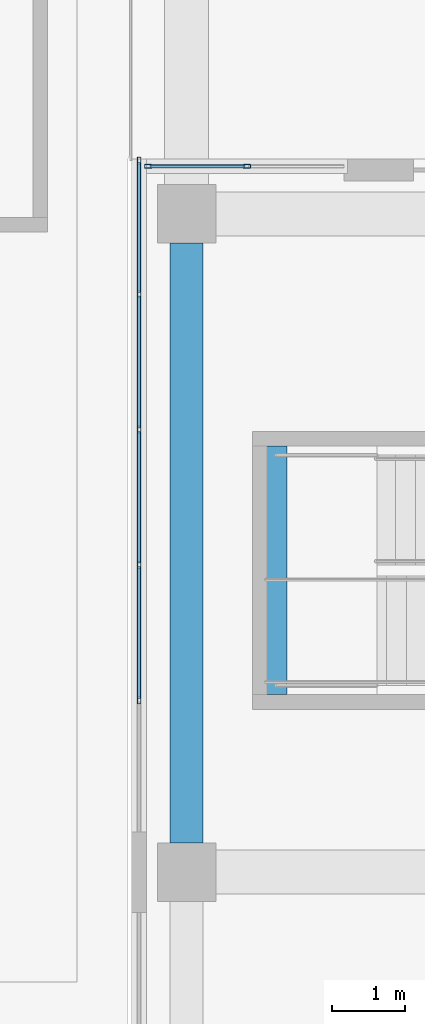
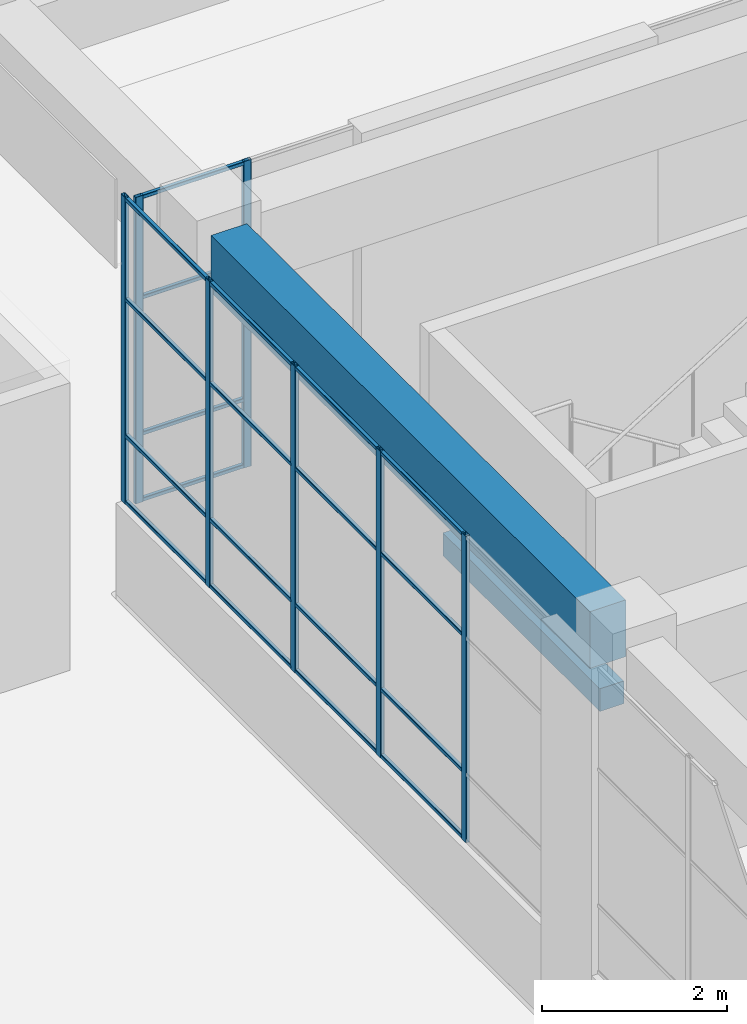
# One storey, part 27 of 72: 27 members, 2 beams, 2 elements without a shape of their own.
"""IFC4 building model written with IfcOpenShell, lengths in metres."""

import ifcopenshell
import ifcopenshell.guid

model = None  # the IFC model being written
_history = None  # IfcOwnerHistory: only IFC2X3 demands one
_inside = {}  # id of a spatial element -> (the spatial element, [elements in it])
_under = {}  # id of a project, library or spatial element -> (it, [spatial elements below it])
_declared = {}  # id of a project -> (the project, [libraries it declares])
_typed = {}  # id of a type object -> (the type object, [elements of that type])
_made_of = {}  # id of a material, layer set ... -> (it, [elements and type objects made of it])


def new_model(schema):
    """Start an empty IFC model of exactly this schema.

    Asked for "IFC4X3", IfcOpenShell would pick the latest addendum, in which some entities
    have other attributes; the version numbers below select the first issue.
    IFC2X3 requires an IfcOwnerHistory on every rooted entity: one is made here for all.
    """
    global model, _history
    if schema == "IFC4X3":
        model = ifcopenshell.file(schema_version=(4, 3, 0, 0))
    else:
        model = ifcopenshell.file(schema=schema)
    _inside.clear()
    _under.clear()
    _declared.clear()
    _typed.clear()
    _made_of.clear()
    _history = None
    if model.schema == "IFC2X3":
        org = make("IfcOrganization", Name="unknown")
        user = make(
            "IfcPersonAndOrganization",
            ThePerson=make("IfcPerson", FamilyName="unknown"),
            TheOrganization=org,
        )
        app = make(
            "IfcApplication",
            ApplicationDeveloper=org,
            Version="unknown",
            ApplicationFullName="unknown",
            ApplicationIdentifier="unknown",
        )
        _history = make(
            "IfcOwnerHistory",
            OwningUser=user,
            OwningApplication=app,
            ChangeAction="ADDED",
            CreationDate=0,
        )
    return model


def make(cls, **values):
    """One entity of the class cls with the attributes given. An attribute that is None is left unset."""
    return model.create_entity(
        cls, **{name: value for name, value in values.items() if value is not None}
    )


def rooted(cls, **values):
    """An entity with a GlobalId (a new one), such as an element, a storey or a relation."""
    return make(cls, GlobalId=ifcopenshell.guid.new(), OwnerHistory=_history, **values)


def si_unit(unit_type, name, prefix=None):
    """IfcSIUnit, for example si_unit("LENGTHUNIT", "METRE", prefix="MILLI")."""
    return make("IfcSIUnit", UnitType=unit_type, Prefix=prefix, Name=name)


def assignment(units):
    """IfcUnitAssignment: the units of a project."""
    return None if units is None else make("IfcUnitAssignment", Units=units)


def point(xyz):
    """IfcCartesianPoint."""
    return None if xyz is None else make("IfcCartesianPoint", Coordinates=xyz)


def direction(xyz):
    """IfcDirection."""
    return None if xyz is None else make("IfcDirection", DirectionRatios=xyz)


def frame(location, z_axis=None, x_axis=None):
    """IfcAxis2Placement3D, a coordinate frame: its origin and axes. An axis left out is left unset."""
    return make(
        "IfcAxis2Placement3D",
        Location=point(location),
        Axis=direction(z_axis),
        RefDirection=direction(x_axis),
    )


def frame_2d(location, x_axis=None):
    """IfcAxis2Placement2D, a coordinate frame in the plane: its origin and x axis."""
    return make(
        "IfcAxis2Placement2D", Location=point(location), RefDirection=direction(x_axis)
    )


def origin():
    """The frame at (0, 0, 0) with its axes left unset."""
    return frame((0.0, 0.0, 0.0))


def origin_2d():
    """The frame at (0, 0) in the plane with its x axis left unset."""
    return frame_2d((0.0, 0.0))


def place(relative_to, where):
    """IfcLocalPlacement: puts the frame where relative to a parent placement (None: the world)."""
    return make(
        "IfcLocalPlacement", PlacementRelTo=relative_to, RelativePlacement=where
    )


def context(
    kind, dimensions, precision=None, world=None, true_north=None, identifier=None
):
    """IfcGeometricRepresentationContext, for example the 3D "Model" context."""
    return make(
        "IfcGeometricRepresentationContext",
        ContextIdentifier=identifier,
        ContextType=kind,
        CoordinateSpaceDimension=dimensions,
        Precision=precision,
        WorldCoordinateSystem=world,
        TrueNorth=true_north,
    )


def subcontext(parent, identifier, kind, view, scale=None):
    """IfcGeometricRepresentationSubContext, for example "Body" below "Model"."""
    return make(
        "IfcGeometricRepresentationSubContext",
        ContextIdentifier=identifier,
        ContextType=kind,
        ParentContext=parent,
        TargetScale=scale,
        TargetView=view,
    )


def project(units=None, contexts=None):
    """IfcProject with its units and contexts."""
    return rooted(
        "IfcProject",
        Name="project",
        RepresentationContexts=contexts,
        UnitsInContext=assignment(units),
    )


def spatial(cls, under=None, at=None, **own):
    """A site, building, storey or space (cls), placed at a placement, below another one or the project."""
    s = rooted(cls, ObjectPlacement=at, **own)
    if under is not None:
        _under.setdefault(under.id(), (under, []))[1].append(s)
    return s


def profile(cls, at=None, kind="AREA", **sizes):
    """A parametric profile (cls). Its sizes go by their IFC names, for example OverallWidth=200.0."""
    return make(cls, ProfileType=kind, Position=at, **sizes)


def rectangle(**sizes):
    """IfcRectangleProfileDef."""
    return profile("IfcRectangleProfileDef", **sizes)


def hollow_rectangle(**sizes):
    """IfcRectangleHollowProfileDef."""
    return profile("IfcRectangleHollowProfileDef", **sizes)


def extrude(swept, where, along, depth):
    """IfcExtrudedAreaSolid: the profile swept, set in the frame where, extruded along a direction by depth."""
    return make(
        "IfcExtrudedAreaSolid",
        SweptArea=swept,
        Position=where,
        ExtrudedDirection=direction(along),
        Depth=depth,
    )


def shape(context_of_items, identifier, shape_type, items):
    """IfcShapeRepresentation: the items that make up one representation, for example the "Body"."""
    return make(
        "IfcShapeRepresentation",
        ContextOfItems=context_of_items,
        RepresentationIdentifier=identifier,
        RepresentationType=shape_type,
        Items=items,
    )


def material(Name=None, Category=None):
    """IfcMaterial."""
    return make("IfcMaterial", Name=Name, Category=Category)


def layer(
    of_material, thickness, ventilated=None, Name=None, Category=None, Priority=None
):
    """IfcMaterialLayer: one layer of a wall or slab, of a material (None: an air gap)."""
    return make(
        "IfcMaterialLayer",
        Material=of_material,
        LayerThickness=thickness,
        IsVentilated=ventilated,
        Name=Name,
        Category=Category,
        Priority=Priority,
    )


def layer_set(layers, Name=None):
    """IfcMaterialLayerSet."""
    return make("IfcMaterialLayerSet", MaterialLayers=layers, LayerSetName=Name)


def material_profile(
    of_material, cross_section, Name=None, Category=None, Priority=None
):
    """IfcMaterialProfile: a cross section and its material."""
    return make(
        "IfcMaterialProfile",
        Name=Name,
        Material=of_material,
        Profile=cross_section,
        Priority=Priority,
        Category=Category,
    )


def profile_set(profiles, Name=None, composite=None):
    """IfcMaterialProfileSet."""
    return make(
        "IfcMaterialProfileSet",
        Name=Name,
        MaterialProfiles=profiles,
        CompositeProfile=composite,
    )


def made_of(thing, what):
    """Note that an element or type object is made of a material, layer set ...; save() writes the relation."""
    if what is not None:
        _made_of.setdefault(what.id(), (what, []))[1].append(thing)
    return thing


def type_object(cls, material=None, **own):
    """A type object (cls), such as IfcWallType, which elements share."""
    return made_of(rooted(cls, **own), material)


def element(
    cls,
    number,
    at=None,
    inside=None,
    cuts=None,
    type_object=None,
    material=None,
    context=None,
    identifier="Body",
    shape_type=None,
    held_by="IfcProductDefinitionShape",
    body=None,
    shapes=None,
    **own,
):
    """One element of the class cls, such as IfcWall. Its Tag is "e" and its number.

    at: its placement. inside: the storey or other place that contains it. cuts: it is an
    opening in that element (IfcRelVoidsElement). A single representation is given by context,
    identifier, shape_type and body (its items); several are given by shapes. held_by: the class
    of the entity that holds the representations. save() writes the other relations.
    """
    e = rooted(cls, Tag="e%d" % number, ObjectPlacement=at, **own)
    if body is not None:
        shapes = [shape(context, identifier, shape_type, body)]
    if shapes is not None:
        e.Representation = make(held_by, Representations=shapes)
    if inside is not None:
        _inside.setdefault(inside.id(), (inside, []))[1].append(e)
    if cuts is not None:
        rooted(
            "IfcRelVoidsElement", RelatingBuildingElement=cuts, RelatedOpeningElement=e
        )
    if type_object is not None:
        _typed.setdefault(type_object.id(), (type_object, []))[1].append(e)
    return made_of(e, material)


def aggregate(whole, parts):
    """IfcRelAggregates: a whole, such as a stair, and the parts it consists of."""
    return rooted("IfcRelAggregates", RelatingObject=whole, RelatedObjects=parts)


def save(model, path):
    """Write the relations noted so far, then the file.

    IfcRelAggregates (storeys below a building ...), IfcRelContainedInSpatialStructure (elements
    in a storey), IfcRelDefinesByType, IfcRelAssociatesMaterial and IfcRelDeclares: one each for
    every whole, place, type object, material and project.
    """
    for whole, parts in _under.values():
        aggregate(whole, parts)
    for where, things in _inside.values():
        rooted(
            "IfcRelContainedInSpatialStructure",
            RelatedElements=things,
            RelatingStructure=where,
        )
    for kind, things in _typed.values():
        rooted("IfcRelDefinesByType", RelatedObjects=things, RelatingType=kind)
    for what, things in _made_of.values():
        rooted("IfcRelAssociatesMaterial", RelatedObjects=things, RelatingMaterial=what)
    for by, libraries in _declared.values():
        rooted("IfcRelDeclares", RelatingContext=by, RelatedDefinitions=libraries)
    model.write(path)


model = new_model("IFC4")

# Units and contexts
model_context = context("Model", 3, precision=1e-05, world=origin(), true_north=direction((0.0, 1.0)))
body_context = subcontext(model_context, "Body", "Model", "MODEL_VIEW")
ifc_project = project(units=[si_unit("LENGTHUNIT", "METRE"), si_unit("AREAUNIT", "SQUARE_METRE"), si_unit("VOLUMEUNIT", "CUBIC_METRE"), si_unit("PLANEANGLEUNIT", "RADIAN"), si_unit("MASSUNIT", "GRAM", prefix="KILO")], contexts=[model_context])

# Site, building, storey
site_placement = place(None, origin())
site = spatial("IfcSite", under=ifc_project, at=site_placement, CompositionType="ELEMENT")
building_placement = place(site_placement, origin())
building = spatial("IfcBuilding", under=site, at=building_placement, Name="Tuart Plaza Theatre", CompositionType="ELEMENT")
storey_placement = place(building_placement, origin())
storey = spatial("IfcBuildingStorey", under=building, at=storey_placement, Name="L00", CompositionType="ELEMENT", Elevation=0.0)

# Beams
ifc_material_1 = material(Name="Concrete N40 (40 MPa)", Category="concrete")
ifc_material_profile_1 = material_profile(ifc_material_1, rectangle(XDim=0.300048828125, YDim=0.300048828125, at=origin_2d()), Name="BEAM 300x300 Concrete N40 (40 MPa)")
ifc_profile_set_1 = profile_set([ifc_material_profile_1], Name="Concrete N40 (40 MPa)")
beam_type_1 = type_object("IfcBeamType", Name="BEAM 300x300 Concrete N40 (40 MPa)", PredefinedType="BEAM", material=ifc_profile_set_1)
beam_1_placement = place(storey_placement, frame((115.219970703125, 88.824951171875, 2.39990234375), z_axis=(0.0, -1.0, 0.0), x_axis=(1.0, 0.0, 0.0)))
element("IfcBeam", 1, at=beam_1_placement, inside=storey, type_object=beam_type_1, Name="RB528", PredefinedType="BEAM", context=body_context, shape_type="SweptSolid", body=[
    extrude(rectangle(XDim=0.300048828125, YDim=0.300048828125, at=origin_2d()), origin(), (0.0, 0.0, 1.0), 3.39990234375),
])
ifc_material_2 = material(Name="Concrete N40 (40 MPa)", Category="concrete")
ifc_material_profile_2 = material_profile(ifc_material_2, rectangle(XDim=0.449951171875, YDim=0.75, at=origin_2d()), Name="BEAM 450x750 Concrete N40 (40 MPa)")
ifc_profile_set_2 = profile_set([ifc_material_profile_2], Name="Concrete N40 (40 MPa)")
beam_type_2 = type_object("IfcBeamType", Name="BEAM 450x750 Concrete N40 (40 MPa)", PredefinedType="BEAM", material=ifc_profile_set_2)
beam_2_placement = place(storey_placement, frame((114.0, 83.39990234375, 4.875), z_axis=(0.0, 1.0, 0.0), x_axis=(-1.0, 0.0, 0.0)))
element("IfcBeam", 2, at=beam_2_placement, inside=storey, type_object=beam_type_2, Name="RB128", PredefinedType="BEAM", context=body_context, shape_type="SweptSolid", body=[
    extrude(rectangle(XDim=0.449951171875, YDim=0.75, at=origin_2d()), origin(), (0.0, 0.0, 1.0), 8.2001953125),
])

# Curtain wall, members
ifc_material_3 = material(Name="Aluminium and glass", Category="aluminium")
ifc_layer_1 = layer(ifc_material_3, 0.10009765625)
ifc_layer_set_1 = layer_set([ifc_layer_1], Name="CURTAIN WALL 1375 module")
curtain_wall_type_1 = type_object("IfcCurtainWallType", Name="CURTAIN WALL 1375 module", PredefinedType="NOTDEFINED", material=ifc_layer_set_1)
curtain_wall_1_placement = place(storey_placement, origin())
curtain_wall_1 = element("IfcCurtainWall", 3, at=curtain_wall_1_placement, inside=storey, type_object=curtain_wall_type_1, Name="CW56", PredefinedType="NOTDEFINED")
ifc_material_4 = material(Name="Aluminium 6063-T5", Category="aluminium")
ifc_material_profile_3 = material_profile(ifc_material_4, hollow_rectangle(XDim=0.050048828125, YDim=0.10009765625, WallThickness=0.00390625, InnerFilletRadius=0.00390625, OuterFilletRadius=0.008056640625, at=origin_2d()), Name="RHS 100x50x4")
ifc_profile_set_3 = profile_set([ifc_material_profile_3], Name="Aluminium 6063-T5")
member_type_1 = type_object("IfcMemberType", Name="MULLION RHS 100x50x4", PredefinedType="MULLION", material=ifc_profile_set_3)
member_1_placement = place(storey_placement, frame((114.824951171875, 92.64990234375, 1.199951171875), z_axis=(0.0, 0.0, 1.0), x_axis=(0.0, -1.0, 0.0)))
member_1 = element("IfcMember", 4, at=member_1_placement, type_object=member_type_1, Name="CW56 mullion 2", PredefinedType="MULLION", context=body_context, shape_type="SweptSolid", body=[
    extrude(hollow_rectangle(XDim=0.050048828125, YDim=0.10009765625, WallThickness=0.00390625, InnerFilletRadius=0.00390625, OuterFilletRadius=0.008056640625, at=origin_2d()), origin(), (0.0, 0.0, 1.0), 4.050048828125),
])
member_2_placement = place(storey_placement, frame((113.47509765625, 92.64990234375, 1.199951171875), z_axis=(0.0, 0.0, 1.0), x_axis=(0.0, -1.0, 0.0)))
member_2 = element("IfcMember", 5, at=member_2_placement, type_object=member_type_1, Name="CW56 mullion 3", PredefinedType="MULLION", context=body_context, shape_type="SweptSolid", body=[
    extrude(hollow_rectangle(XDim=0.050048828125, YDim=0.10009765625, WallThickness=0.00390625, InnerFilletRadius=0.00390625, OuterFilletRadius=0.008056640625, at=origin_2d()), origin(), (0.0, 0.0, 1.0), 4.050048828125),
])

ifc_material_5 = material(Name="Aluminium and glass", Category="aluminium")
ifc_layer_2 = layer(ifc_material_5, 0.10009765625)
ifc_layer_set_2 = layer_set([ifc_layer_2], Name="CURTAIN WALL 2000 module")
curtain_wall_type_2 = type_object("IfcCurtainWallType", Name="CURTAIN WALL 2000 module", PredefinedType="NOTDEFINED", material=ifc_layer_set_2)
curtain_wall_2_placement = place(storey_placement, origin())
curtain_wall_2 = element("IfcCurtainWall", 6, at=curtain_wall_2_placement, inside=storey, type_object=curtain_wall_type_2, Name="CW57", PredefinedType="NOTDEFINED")
member_3_placement = place(storey_placement, frame((113.35009765625, 92.72509765625, 1.199951171875), z_axis=(0.0, 0.0, 1.0), x_axis=(1.0, 0.0, 0.0)))
member_3 = element("IfcMember", 7, at=member_3_placement, type_object=member_type_1, Name="CW57 mullion 1", PredefinedType="MULLION", context=body_context, shape_type="SweptSolid", body=[
    extrude(hollow_rectangle(XDim=0.050048828125, YDim=0.10009765625, WallThickness=0.00390625, InnerFilletRadius=0.00390625, OuterFilletRadius=0.008056640625, at=origin_2d()), origin(), (0.0, 0.0, 1.0), 4.050048828125),
])
member_4_placement = place(storey_placement, frame((113.35009765625, 90.89990234375, 1.199951171875), z_axis=(0.0, 0.0, 1.0), x_axis=(1.0, 0.0, 0.0)))
member_4 = element("IfcMember", 8, at=member_4_placement, type_object=member_type_1, Name="CW57 mullion 2", PredefinedType="MULLION", context=body_context, shape_type="SweptSolid", body=[
    extrude(hollow_rectangle(XDim=0.050048828125, YDim=0.10009765625, WallThickness=0.00390625, InnerFilletRadius=0.00390625, OuterFilletRadius=0.008056640625, at=origin_2d()), origin(), (0.0, 0.0, 1.0), 4.050048828125),
])
member_5_placement = place(storey_placement, frame((113.35009765625, 89.050048828125, 1.199951171875), z_axis=(0.0, 0.0, 1.0), x_axis=(1.0, 0.0, 0.0)))
member_5 = element("IfcMember", 9, at=member_5_placement, type_object=member_type_1, Name="CW57 mullion 3", PredefinedType="MULLION", context=body_context, shape_type="SweptSolid", body=[
    extrude(hollow_rectangle(XDim=0.050048828125, YDim=0.10009765625, WallThickness=0.00390625, InnerFilletRadius=0.00390625, OuterFilletRadius=0.008056640625, at=origin_2d()), origin(), (0.0, 0.0, 1.0), 4.050048828125),
])
member_6_placement = place(storey_placement, frame((113.35009765625, 87.199951171875, 1.199951171875), z_axis=(0.0, 0.0, 1.0), x_axis=(1.0, 0.0, 0.0)))
member_6 = element("IfcMember", 10, at=member_6_placement, type_object=member_type_1, Name="CW57 mullion 4", PredefinedType="MULLION", context=body_context, shape_type="SweptSolid", body=[
    extrude(hollow_rectangle(XDim=0.050048828125, YDim=0.10009765625, WallThickness=0.00390625, InnerFilletRadius=0.00390625, OuterFilletRadius=0.008056640625, at=origin_2d()), origin(), (0.0, 0.0, 1.0), 4.050048828125),
])
member_7_placement = place(storey_placement, frame((113.35009765625, 85.35009765625, 1.199951171875), z_axis=(0.0, 0.0, 1.0), x_axis=(1.0, 0.0, 0.0)))
member_7 = element("IfcMember", 11, at=member_7_placement, type_object=member_type_1, Name="CW57 mullion 5", PredefinedType="MULLION", context=body_context, shape_type="SweptSolid", body=[
    extrude(hollow_rectangle(XDim=0.050048828125, YDim=0.10009765625, WallThickness=0.00390625, InnerFilletRadius=0.00390625, OuterFilletRadius=0.008056640625, at=origin_2d()), origin(), (0.0, 0.0, 1.0), 4.050048828125),
])

# Member
ifc_material_6 = material(Name="Aluminium 6063-T5", Category="aluminium")
ifc_material_profile_4 = material_profile(ifc_material_6, hollow_rectangle(XDim=0.050048828125, YDim=0.050048828125, WallThickness=0.00390625, InnerFilletRadius=0.00390625, OuterFilletRadius=0.008056640625, at=origin_2d()), Name="RHS 50x50x4")
ifc_profile_set_4 = profile_set([ifc_material_profile_4], Name="Aluminium 6063-T5")
member_type_2 = type_object("IfcMemberType", Name="TRANSOM RHS 50x50x4", PredefinedType="USERDEFINED", material=ifc_profile_set_4)
member_8_placement = place(storey_placement, frame((114.800048828125, 92.64990234375, 1.22509765625), z_axis=(-1.0, 0.0, 0.0), x_axis=(0.0, -1.0, 0.0)))
member_8 = element("IfcMember", 12, at=member_8_placement, type_object=member_type_2, Name="CW56 transom 2.1", ObjectType="TRANSOM", PredefinedType="USERDEFINED", context=body_context, shape_type="SweptSolid", body=[
    extrude(hollow_rectangle(XDim=0.050048828125, YDim=0.050048828125, WallThickness=0.00390625, InnerFilletRadius=0.00390625, OuterFilletRadius=0.008056640625, at=origin_2d()), origin(), (0.0, 0.0, 1.0), 1.300048828125),
])

member_9_placement = place(storey_placement, frame((114.800048828125, 92.64990234375, 2.10009765625), z_axis=(-1.0, 0.0, 0.0), x_axis=(0.0, -1.0, 0.0)))
member_9 = element("IfcMember", 13, at=member_9_placement, type_object=member_type_2, Name="CW56 transom 2.2", ObjectType="TRANSOM", PredefinedType="USERDEFINED", context=body_context, shape_type="SweptSolid", body=[
    extrude(hollow_rectangle(XDim=0.050048828125, YDim=0.050048828125, WallThickness=0.00390625, InnerFilletRadius=0.00390625, OuterFilletRadius=0.008056640625, at=origin_2d()), origin(), (0.0, 0.0, 1.0), 1.300048828125),
])

member_10_placement = place(storey_placement, frame((114.800048828125, 92.64990234375, 3.89990234375), z_axis=(-1.0, 0.0, 0.0), x_axis=(0.0, -1.0, 0.0)))
member_10 = element("IfcMember", 14, at=member_10_placement, type_object=member_type_2, Name="CW56 transom 2.3", ObjectType="TRANSOM", PredefinedType="USERDEFINED", context=body_context, shape_type="SweptSolid", body=[
    extrude(hollow_rectangle(XDim=0.050048828125, YDim=0.050048828125, WallThickness=0.00390625, InnerFilletRadius=0.00390625, OuterFilletRadius=0.008056640625, at=origin_2d()), origin(), (0.0, 0.0, 1.0), 1.300048828125),
])

member_11_placement = place(storey_placement, frame((114.800048828125, 92.64990234375, 5.22509765625), z_axis=(-1.0, 0.0, 0.0), x_axis=(0.0, -1.0, 0.0)))
member_11 = element("IfcMember", 15, at=member_11_placement, type_object=member_type_2, Name="CW56 transom 2.4", ObjectType="TRANSOM", PredefinedType="USERDEFINED", context=body_context, shape_type="SweptSolid", body=[
    extrude(hollow_rectangle(XDim=0.050048828125, YDim=0.050048828125, WallThickness=0.00390625, InnerFilletRadius=0.00390625, OuterFilletRadius=0.008056640625, at=origin_2d()), origin(), (0.0, 0.0, 1.0), 1.300048828125),
])

aggregate(curtain_wall_1, [member_1, member_2, member_8, member_9, member_10, member_11])

member_12_placement = place(storey_placement, frame((113.35009765625, 92.699951171875, 1.22509765625), z_axis=(0.0, -1.0, 0.0), x_axis=(1.0, 0.0, 0.0)))
member_12 = element("IfcMember", 16, at=member_12_placement, type_object=member_type_2, Name="CW57 transom 1.1", ObjectType="TRANSOM", PredefinedType="USERDEFINED", context=body_context, shape_type="SweptSolid", body=[
    extrude(hollow_rectangle(XDim=0.050048828125, YDim=0.050048828125, WallThickness=0.00390625, InnerFilletRadius=0.00390625, OuterFilletRadius=0.008056640625, at=origin_2d()), origin(), (0.0, 0.0, 1.0), 1.77490234375),
])

member_13_placement = place(storey_placement, frame((113.35009765625, 92.699951171875, 2.10009765625), z_axis=(0.0, -1.0, 0.0), x_axis=(1.0, 0.0, 0.0)))
member_13 = element("IfcMember", 17, at=member_13_placement, type_object=member_type_2, Name="CW57 transom 1.2", ObjectType="TRANSOM", PredefinedType="USERDEFINED", context=body_context, shape_type="SweptSolid", body=[
    extrude(hollow_rectangle(XDim=0.050048828125, YDim=0.050048828125, WallThickness=0.00390625, InnerFilletRadius=0.00390625, OuterFilletRadius=0.008056640625, at=origin_2d()), origin(), (0.0, 0.0, 1.0), 1.77490234375),
])

member_14_placement = place(storey_placement, frame((113.35009765625, 92.699951171875, 3.89990234375), z_axis=(0.0, -1.0, 0.0), x_axis=(1.0, 0.0, 0.0)))
member_14 = element("IfcMember", 18, at=member_14_placement, type_object=member_type_2, Name="CW57 transom 1.3", ObjectType="TRANSOM", PredefinedType="USERDEFINED", context=body_context, shape_type="SweptSolid", body=[
    extrude(hollow_rectangle(XDim=0.050048828125, YDim=0.050048828125, WallThickness=0.00390625, InnerFilletRadius=0.00390625, OuterFilletRadius=0.008056640625, at=origin_2d()), origin(), (0.0, 0.0, 1.0), 1.77490234375),
])

member_15_placement = place(storey_placement, frame((113.35009765625, 92.699951171875, 5.22509765625), z_axis=(0.0, -1.0, 0.0), x_axis=(1.0, 0.0, 0.0)))
member_15 = element("IfcMember", 19, at=member_15_placement, type_object=member_type_2, Name="CW57 transom 1.4", ObjectType="TRANSOM", PredefinedType="USERDEFINED", context=body_context, shape_type="SweptSolid", body=[
    extrude(hollow_rectangle(XDim=0.050048828125, YDim=0.050048828125, WallThickness=0.00390625, InnerFilletRadius=0.00390625, OuterFilletRadius=0.008056640625, at=origin_2d()), origin(), (0.0, 0.0, 1.0), 1.77490234375),
])

member_16_placement = place(storey_placement, frame((113.35009765625, 90.875, 1.22509765625), z_axis=(0.0, -1.0, 0.0), x_axis=(1.0, 0.0, 0.0)))
member_16 = element("IfcMember", 20, at=member_16_placement, type_object=member_type_2, Name="CW57 transom 2.1", ObjectType="TRANSOM", PredefinedType="USERDEFINED", context=body_context, shape_type="SweptSolid", body=[
    extrude(hollow_rectangle(XDim=0.050048828125, YDim=0.050048828125, WallThickness=0.00390625, InnerFilletRadius=0.00390625, OuterFilletRadius=0.008056640625, at=origin_2d()), origin(), (0.0, 0.0, 1.0), 1.800048828125),
])

member_17_placement = place(storey_placement, frame((113.35009765625, 90.875, 2.10009765625), z_axis=(0.0, -1.0, 0.0), x_axis=(1.0, 0.0, 0.0)))
member_17 = element("IfcMember", 21, at=member_17_placement, type_object=member_type_2, Name="CW57 transom 2.2", ObjectType="TRANSOM", PredefinedType="USERDEFINED", context=body_context, shape_type="SweptSolid", body=[
    extrude(hollow_rectangle(XDim=0.050048828125, YDim=0.050048828125, WallThickness=0.00390625, InnerFilletRadius=0.00390625, OuterFilletRadius=0.008056640625, at=origin_2d()), origin(), (0.0, 0.0, 1.0), 1.800048828125),
])

member_18_placement = place(storey_placement, frame((113.35009765625, 90.875, 3.89990234375), z_axis=(0.0, -1.0, 0.0), x_axis=(1.0, 0.0, 0.0)))
member_18 = element("IfcMember", 22, at=member_18_placement, type_object=member_type_2, Name="CW57 transom 2.3", ObjectType="TRANSOM", PredefinedType="USERDEFINED", context=body_context, shape_type="SweptSolid", body=[
    extrude(hollow_rectangle(XDim=0.050048828125, YDim=0.050048828125, WallThickness=0.00390625, InnerFilletRadius=0.00390625, OuterFilletRadius=0.008056640625, at=origin_2d()), origin(), (0.0, 0.0, 1.0), 1.800048828125),
])

member_19_placement = place(storey_placement, frame((113.35009765625, 90.875, 5.22509765625), z_axis=(0.0, -1.0, 0.0), x_axis=(1.0, 0.0, 0.0)))
member_19 = element("IfcMember", 23, at=member_19_placement, type_object=member_type_2, Name="CW57 transom 2.4", ObjectType="TRANSOM", PredefinedType="USERDEFINED", context=body_context, shape_type="SweptSolid", body=[
    extrude(hollow_rectangle(XDim=0.050048828125, YDim=0.050048828125, WallThickness=0.00390625, InnerFilletRadius=0.00390625, OuterFilletRadius=0.008056640625, at=origin_2d()), origin(), (0.0, 0.0, 1.0), 1.800048828125),
])

member_20_placement = place(storey_placement, frame((113.35009765625, 89.02490234375, 1.22509765625), z_axis=(0.0, -1.0, 0.0), x_axis=(1.0, 0.0, 0.0)))
member_20 = element("IfcMember", 24, at=member_20_placement, type_object=member_type_2, Name="CW57 transom 3.1", ObjectType="TRANSOM", PredefinedType="USERDEFINED", context=body_context, shape_type="SweptSolid", body=[
    extrude(hollow_rectangle(XDim=0.050048828125, YDim=0.050048828125, WallThickness=0.00390625, InnerFilletRadius=0.00390625, OuterFilletRadius=0.008056640625, at=origin_2d()), origin(), (0.0, 0.0, 1.0), 1.7998046875),
])

member_21_placement = place(storey_placement, frame((113.35009765625, 89.02490234375, 2.10009765625), z_axis=(0.0, -1.0, 0.0), x_axis=(1.0, 0.0, 0.0)))
member_21 = element("IfcMember", 25, at=member_21_placement, type_object=member_type_2, Name="CW57 transom 3.2", ObjectType="TRANSOM", PredefinedType="USERDEFINED", context=body_context, shape_type="SweptSolid", body=[
    extrude(hollow_rectangle(XDim=0.050048828125, YDim=0.050048828125, WallThickness=0.00390625, InnerFilletRadius=0.00390625, OuterFilletRadius=0.008056640625, at=origin_2d()), origin(), (0.0, 0.0, 1.0), 1.7998046875),
])

member_22_placement = place(storey_placement, frame((113.35009765625, 89.02490234375, 3.89990234375), z_axis=(0.0, -1.0, 0.0), x_axis=(1.0, 0.0, 0.0)))
member_22 = element("IfcMember", 26, at=member_22_placement, type_object=member_type_2, Name="CW57 transom 3.3", ObjectType="TRANSOM", PredefinedType="USERDEFINED", context=body_context, shape_type="SweptSolid", body=[
    extrude(hollow_rectangle(XDim=0.050048828125, YDim=0.050048828125, WallThickness=0.00390625, InnerFilletRadius=0.00390625, OuterFilletRadius=0.008056640625, at=origin_2d()), origin(), (0.0, 0.0, 1.0), 1.7998046875),
])

member_23_placement = place(storey_placement, frame((113.35009765625, 89.02490234375, 5.22509765625), z_axis=(0.0, -1.0, 0.0), x_axis=(1.0, 0.0, 0.0)))
member_23 = element("IfcMember", 27, at=member_23_placement, type_object=member_type_2, Name="CW57 transom 3.4", ObjectType="TRANSOM", PredefinedType="USERDEFINED", context=body_context, shape_type="SweptSolid", body=[
    extrude(hollow_rectangle(XDim=0.050048828125, YDim=0.050048828125, WallThickness=0.00390625, InnerFilletRadius=0.00390625, OuterFilletRadius=0.008056640625, at=origin_2d()), origin(), (0.0, 0.0, 1.0), 1.7998046875),
])

member_24_placement = place(storey_placement, frame((113.35009765625, 87.175048828125, 1.22509765625), z_axis=(0.0, -1.0, 0.0), x_axis=(1.0, 0.0, 0.0)))
member_24 = element("IfcMember", 28, at=member_24_placement, type_object=member_type_2, Name="CW57 transom 4.1", ObjectType="TRANSOM", PredefinedType="USERDEFINED", context=body_context, shape_type="SweptSolid", body=[
    extrude(hollow_rectangle(XDim=0.050048828125, YDim=0.050048828125, WallThickness=0.00390625, InnerFilletRadius=0.00390625, OuterFilletRadius=0.008056640625, at=origin_2d()), origin(), (0.0, 0.0, 1.0), 1.800048828125),
])

member_25_placement = place(storey_placement, frame((113.35009765625, 87.175048828125, 2.10009765625), z_axis=(0.0, -1.0, 0.0), x_axis=(1.0, 0.0, 0.0)))
member_25 = element("IfcMember", 29, at=member_25_placement, type_object=member_type_2, Name="CW57 transom 4.2", ObjectType="TRANSOM", PredefinedType="USERDEFINED", context=body_context, shape_type="SweptSolid", body=[
    extrude(hollow_rectangle(XDim=0.050048828125, YDim=0.050048828125, WallThickness=0.00390625, InnerFilletRadius=0.00390625, OuterFilletRadius=0.008056640625, at=origin_2d()), origin(), (0.0, 0.0, 1.0), 1.800048828125),
])

member_26_placement = place(storey_placement, frame((113.35009765625, 87.175048828125, 3.89990234375), z_axis=(0.0, -1.0, 0.0), x_axis=(1.0, 0.0, 0.0)))
member_26 = element("IfcMember", 30, at=member_26_placement, type_object=member_type_2, Name="CW57 transom 4.3", ObjectType="TRANSOM", PredefinedType="USERDEFINED", context=body_context, shape_type="SweptSolid", body=[
    extrude(hollow_rectangle(XDim=0.050048828125, YDim=0.050048828125, WallThickness=0.00390625, InnerFilletRadius=0.00390625, OuterFilletRadius=0.008056640625, at=origin_2d()), origin(), (0.0, 0.0, 1.0), 1.800048828125),
])

member_27_placement = place(storey_placement, frame((113.35009765625, 87.175048828125, 5.22509765625), z_axis=(0.0, -1.0, 0.0), x_axis=(1.0, 0.0, 0.0)))
member_27 = element("IfcMember", 31, at=member_27_placement, type_object=member_type_2, Name="CW57 transom 4.4", ObjectType="TRANSOM", PredefinedType="USERDEFINED", context=body_context, shape_type="SweptSolid", body=[
    extrude(hollow_rectangle(XDim=0.050048828125, YDim=0.050048828125, WallThickness=0.00390625, InnerFilletRadius=0.00390625, OuterFilletRadius=0.008056640625, at=origin_2d()), origin(), (0.0, 0.0, 1.0), 1.800048828125),
])

aggregate(curtain_wall_2, [member_3, member_4, member_5, member_6, member_7, member_12, member_13, member_14, member_15, member_16, member_17, member_18, member_19, member_20, member_21, member_22, member_23, member_24, member_25, member_26, member_27])

save(model, "model.ifc")
